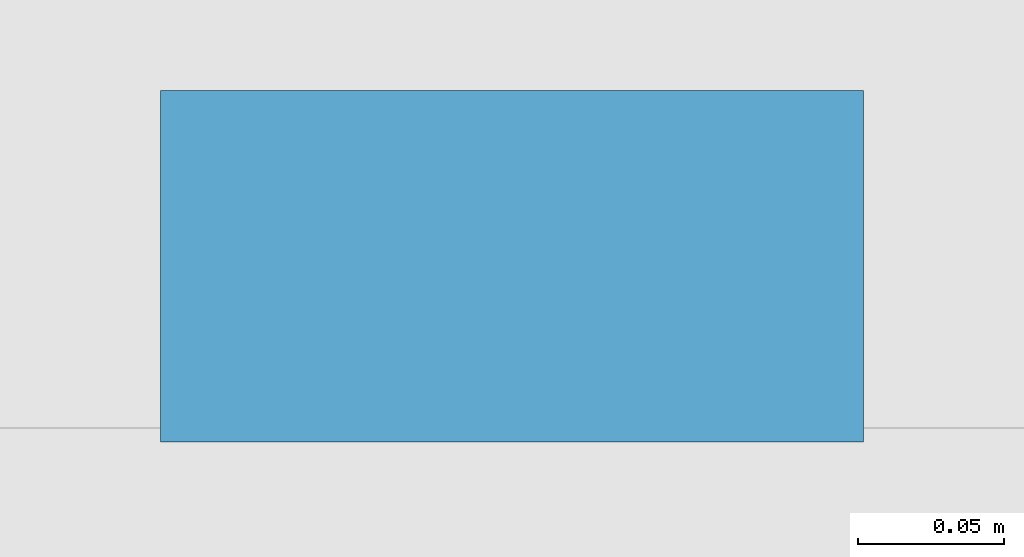
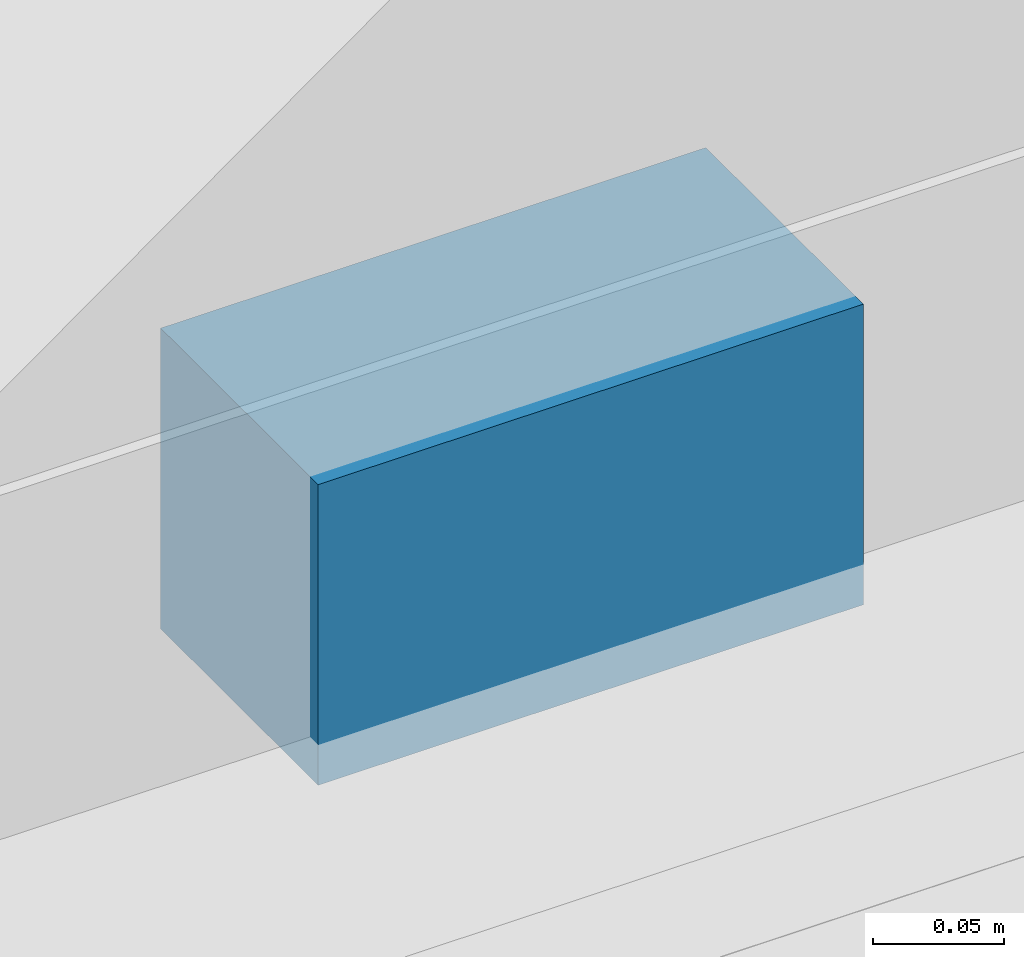
# One storey, part 59 of 81: 1 discrete accessory.
"""IFC4 building model written with IfcOpenShell, lengths in metres."""

from ifc_helpers import new_model, si_unit, direction, frame, origin, origin_2d, place, context, subcontext, project, spatial, rectangle, extrude, material, type_object, element, save


model = new_model("IFC4")

# Units and contexts
model_context = context("Model", 3, precision=1e-05, world=origin(), true_north=direction((0.0, 1.0)))
body_context = subcontext(model_context, "Body", "Model", "MODEL_VIEW")
ifc_project = project(units=[si_unit("LENGTHUNIT", "METRE"), si_unit("AREAUNIT", "SQUARE_METRE"), si_unit("VOLUMEUNIT", "CUBIC_METRE"), si_unit("PLANEANGLEUNIT", "RADIAN"), si_unit("MASSUNIT", "GRAM", prefix="KILO")], contexts=[model_context])

# Site, building, storey
site_placement = place(None, origin())
site = spatial("IfcSite", under=ifc_project, at=site_placement, CompositionType="ELEMENT")
building_placement = place(site_placement, origin())
building = spatial("IfcBuilding", under=site, at=building_placement, Name="Myrtia Square Station", CompositionType="ELEMENT")
storey_placement = place(building_placement, frame((0.0, 0.0, 10.800048828125)))
storey = spatial("IfcBuildingStorey", under=building, at=storey_placement, Name="L02", CompositionType="ELEMENT", Elevation=10.800048828125)

# Discrete accessory
ifc_material = material(Name="Steel S355", Category="steel")
discrete_accessory_type = type_object("IfcDiscreteAccessoryType", Name="ACC-BRACKET-BRONZE", PredefinedType="BRACKET", material=ifc_material)
discrete_accessory_placement = place(storey_placement, frame((120.451904296875, 124.830078125, 2.72998046875), z_axis=(0.0, 0.0, 1.0), x_axis=(1.0, 0.0, 0.0)))
element("IfcDiscreteAccessory", 1, at=discrete_accessory_placement, inside=storey, type_object=discrete_accessory_type, Name="Solar shading fixing bracket 055", PredefinedType="BRACKET", context=body_context, shape_type="SweptSolid", body=[
    extrude(rectangle(XDim=0.239990234375, YDim=0.1201171875, at=origin_2d()), origin(), (0.0, 0.0, 1.0), 0.139892578125),
])

save(model, "model.ifc")
